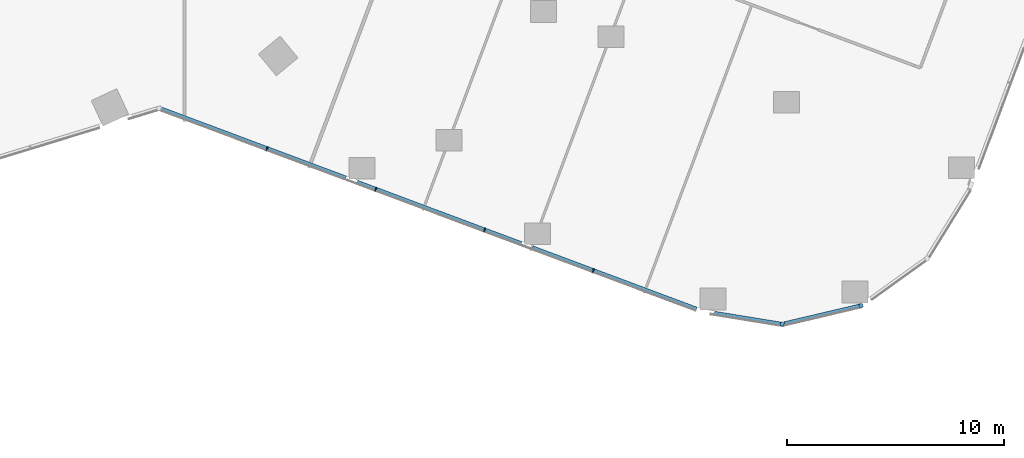
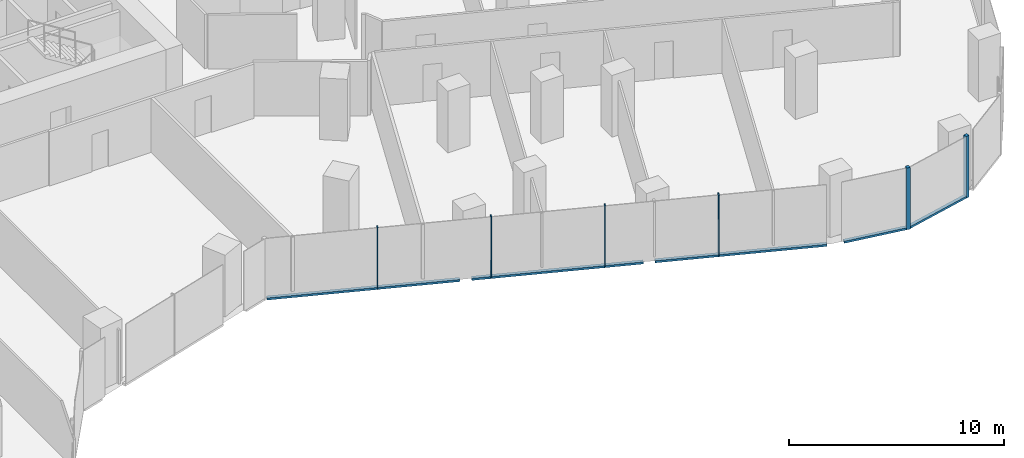
# One storey, part 8 of 31: 11 members, 3 elements without a shape of their own.
"""IFC4 building model written with IfcOpenShell, lengths in metres."""

from ifc_helpers import new_model, si_unit, direction, frame, origin, origin_2d, place, context, subcontext, project, spatial, rectangle, extrude, material, material_profile, profile_set, type_object, element, aggregate, save


model = new_model("IFC4")

# Units and contexts
model_context = context("Model", 3, precision=1e-05, world=origin(), true_north=direction((0.0, 1.0)))
body_context = subcontext(model_context, "Body", "Model", "MODEL_VIEW")
ifc_project = project(units=[si_unit("LENGTHUNIT", "METRE"), si_unit("AREAUNIT", "SQUARE_METRE"), si_unit("VOLUMEUNIT", "CUBIC_METRE"), si_unit("PLANEANGLEUNIT", "RADIAN"), si_unit("MASSUNIT", "GRAM", prefix="KILO")], contexts=[model_context])

# Site, building, storey
site_placement = place(None, origin())
site = spatial("IfcSite", under=ifc_project, at=site_placement, CompositionType="ELEMENT")
building_placement = place(site_placement, origin())
building = spatial("IfcBuilding", under=site, at=building_placement, Name="Orlundy Tower", CompositionType="ELEMENT")
storey_placement = place(building_placement, frame((0.0, 0.0, 84.199951171875)))
storey = spatial("IfcBuildingStorey", under=building, at=storey_placement, Name="L20", CompositionType="ELEMENT", Elevation=84.199951171875)

# Curtain wall, member
ifc_material_1 = material(Name="Aluminium bronze anodised", Category="aluminium")
curtain_wall_type = type_object("IfcCurtainWallType", Name="CW1 wall", PredefinedType="NOTDEFINED", material=ifc_material_1)
curtain_wall_1_placement = place(storey_placement, origin())
curtain_wall_1 = element("IfcCurtainWall", 1, at=curtain_wall_1_placement, inside=storey, type_object=curtain_wall_type, Name="CW1 run 014", PredefinedType="NOTDEFINED")
ifc_material_2 = material(Name="Aluminium bronze anodised", Category="aluminium")
ifc_material_profile_1 = material_profile(ifc_material_2, rectangle(XDim=0.179931640625, YDim=0.179931640625, at=origin_2d()), Name="CW1 corner post 180x180")
ifc_profile_set_1 = profile_set([ifc_material_profile_1], Name="Aluminium bronze anodised")
member_type_1 = type_object("IfcMemberType", Name="CW1 corner post 180x180", PredefinedType="MULLION", material=ifc_profile_set_1)
member_1_placement = place(storey_placement, frame((47.134033203125, -36.073486328125, -0.39990234375), z_axis=(0.0, 0.0, 1.0), x_axis=(0.229309985845, -0.97335344577, 0.0)))
member_1 = element("IfcMember", 2, at=member_1_placement, type_object=member_type_1, Name="CW1 mullion 42", PredefinedType="MULLION", context=body_context, shape_type="SweptSolid", body=[
    extrude(rectangle(XDim=0.179931640625, YDim=0.179931640625, at=origin_2d()), origin(), (0.0, 0.0, 1.0), 3.5),
])

curtain_wall_2_placement = place(storey_placement, origin())
curtain_wall_2 = element("IfcCurtainWall", 3, at=curtain_wall_2_placement, inside=storey, type_object=curtain_wall_type, Name="CW1 run 015", PredefinedType="NOTDEFINED")
member_2_placement = place(storey_placement, frame((43.4912109375, -36.931640625, -0.39990234375), z_axis=(0.0, 0.0, 1.0), x_axis=(-0.160767268774, -0.986992343076, 0.0)))
member_2 = element("IfcMember", 4, at=member_2_placement, type_object=member_type_1, Name="CW1 mullion 43", PredefinedType="MULLION", context=body_context, shape_type="SweptSolid", body=[
    extrude(rectangle(XDim=0.179931640625, YDim=0.179931640625, at=origin_2d()), origin(), (0.0, 0.0, 1.0), 3.5),
])

# Curtain wall, members
curtain_wall_3_placement = place(storey_placement, origin())
curtain_wall_3 = element("IfcCurtainWall", 5, at=curtain_wall_3_placement, inside=storey, type_object=curtain_wall_type, Name="CW1 run 016", PredefinedType="NOTDEFINED")
ifc_material_3 = material(Name="Aluminium bronze anodised", Category="aluminium")
ifc_material_profile_2 = material_profile(ifc_material_3, rectangle(XDim=0.179931640625, YDim=0.050048828125, at=origin_2d()), Name="CW1 mullion 50x180")
ifc_profile_set_2 = profile_set([ifc_material_profile_2], Name="Aluminium bronze anodised")
member_type_2 = type_object("IfcMemberType", Name="CW1 mullion 50x180", PredefinedType="MULLION", material=ifc_profile_set_2)
member_3_placement = place(storey_placement, frame((34.780029296875, -34.452392578125, -0.39990234375), z_axis=(0.0, 0.0, 1.0), x_axis=(-0.350219011684, -0.936667840729, 0.0)))
member_3 = element("IfcMember", 6, at=member_3_placement, type_object=member_type_2, Name="CW1 mullion 45", PredefinedType="MULLION", context=body_context, shape_type="SweptSolid", body=[
    extrude(rectangle(XDim=0.179931640625, YDim=0.050048828125, at=origin_2d()), origin(), (0.0, 0.0, 1.0), 3.5),
])
member_4_placement = place(storey_placement, frame((29.7626953125, -32.576416015625, -0.39990234375), z_axis=(0.0, 0.0, 1.0), x_axis=(-0.350219011684, -0.936667840729, 0.0)))
member_4 = element("IfcMember", 7, at=member_4_placement, type_object=member_type_2, Name="CW1 mullion 46", PredefinedType="MULLION", context=body_context, shape_type="SweptSolid", body=[
    extrude(rectangle(XDim=0.179931640625, YDim=0.050048828125, at=origin_2d()), origin(), (0.0, 0.0, 1.0), 3.5),
])
member_5_placement = place(storey_placement, frame((24.745361328125, -30.7001953125, -0.39990234375), z_axis=(0.0, 0.0, 1.0), x_axis=(-0.350219011684, -0.936667840729, 0.0)))
member_5 = element("IfcMember", 8, at=member_5_placement, type_object=member_type_2, Name="CW1 mullion 47", PredefinedType="MULLION", context=body_context, shape_type="SweptSolid", body=[
    extrude(rectangle(XDim=0.179931640625, YDim=0.050048828125, at=origin_2d()), origin(), (0.0, 0.0, 1.0), 3.5),
])
member_6_placement = place(storey_placement, frame((19.727783203125, -28.82421875, -0.39990234375), z_axis=(0.0, 0.0, 1.0), x_axis=(-0.350219011684, -0.936667840729, 0.0)))
member_6 = element("IfcMember", 9, at=member_6_placement, type_object=member_type_2, Name="CW1 mullion 48", PredefinedType="MULLION", context=body_context, shape_type="SweptSolid", body=[
    extrude(rectangle(XDim=0.179931640625, YDim=0.050048828125, at=origin_2d()), origin(), (0.0, 0.0, 1.0), 3.5),
])

# Member
ifc_material_4 = material(Name="Aluminium bronze anodised", Category="aluminium")
ifc_material_profile_3 = material_profile(ifc_material_4, rectangle(XDim=0.179931640625, YDim=0.1201171875, at=origin_2d()), Name="CW1 transom 180x120")
ifc_profile_set_3 = profile_set([ifc_material_profile_3], Name="Aluminium bronze anodised")
member_type_3 = type_object("IfcMemberType", Name="CW1 transom 180x120", PredefinedType="USERDEFINED", material=ifc_profile_set_3)
member_7_placement = place(storey_placement, frame((47.04638671875, -36.09423828125, -0.33984375), z_axis=(-0.973356793262, -0.22929577626, 0.0), x_axis=(0.22929577626, -0.973356793262, 0.0)))
member_7 = element("IfcMember", 10, at=member_7_placement, type_object=member_type_3, Name="CW1 transom", ObjectType="TRANSOM", PredefinedType="USERDEFINED", context=body_context, shape_type="SweptSolid", body=[
    extrude(rectangle(XDim=0.179931640625, YDim=0.1201171875, at=origin_2d()), origin(), (0.0, 0.0, 1.0), 3.55517578125),
])

aggregate(curtain_wall_1, [member_1, member_7])

member_8_placement = place(storey_placement, frame((43.40234375, -36.917236328125, -0.33984375), z_axis=(-0.986988010756, 0.160793863761, 0.0), x_axis=(-0.160793863761, -0.986988010756, 0.0)))
member_8 = element("IfcMember", 11, at=member_8_placement, type_object=member_type_3, Name="CW1 transom", ObjectType="TRANSOM", PredefinedType="USERDEFINED", context=body_context, shape_type="SweptSolid", body=[
    extrude(rectangle(XDim=0.179931640625, YDim=0.1201171875, at=origin_2d()), origin(), (0.0, 0.0, 1.0), 3.0869140625),
])

aggregate(curtain_wall_2, [member_2, member_8])

member_9_placement = place(storey_placement, frame((39.541015625, -36.232421875, -0.33984375), z_axis=(-0.936672607981, 0.350206261306, 0.0), x_axis=(-0.350206261306, -0.936672607981, 0.0)))
member_9 = element("IfcMember", 12, at=member_9_placement, type_object=member_type_3, Name="CW1 transom", ObjectType="TRANSOM", PredefinedType="USERDEFINED", context=body_context, shape_type="SweptSolid", body=[
    extrude(rectangle(XDim=0.179931640625, YDim=0.1201171875, at=origin_2d()), origin(), (0.0, 0.0, 1.0), 8.081787109375),
])

member_10_placement = place(storey_placement, frame((31.452880859375, -33.208251953125, -0.33984375), z_axis=(-0.936665197562, 0.350226080804, 0.0), x_axis=(-0.350226080804, -0.936665197562, 0.0)))
member_10 = element("IfcMember", 13, at=member_10_placement, type_object=member_type_3, Name="CW1 transom", ObjectType="TRANSOM", PredefinedType="USERDEFINED", context=body_context, shape_type="SweptSolid", body=[
    extrude(rectangle(XDim=0.179931640625, YDim=0.1201171875, at=origin_2d()), origin(), (0.0, 0.0, 1.0), 8.081298828125),
])

member_11_placement = place(storey_placement, frame((23.365966796875, -30.1845703125, -0.33984375), z_axis=(-0.936668450317, 0.350217381323, 0.0), x_axis=(-0.350217381323, -0.936668450317, 0.0)))
member_11 = element("IfcMember", 14, at=member_11_placement, type_object=member_type_3, Name="CW1 transom", ObjectType="TRANSOM", PredefinedType="USERDEFINED", context=body_context, shape_type="SweptSolid", body=[
    extrude(rectangle(XDim=0.179931640625, YDim=0.1201171875, at=origin_2d()), origin(), (0.0, 0.0, 1.0), 9.0966796875),
])

aggregate(curtain_wall_3, [member_3, member_4, member_5, member_6, member_9, member_10, member_11])

save(model, "model.ifc")
